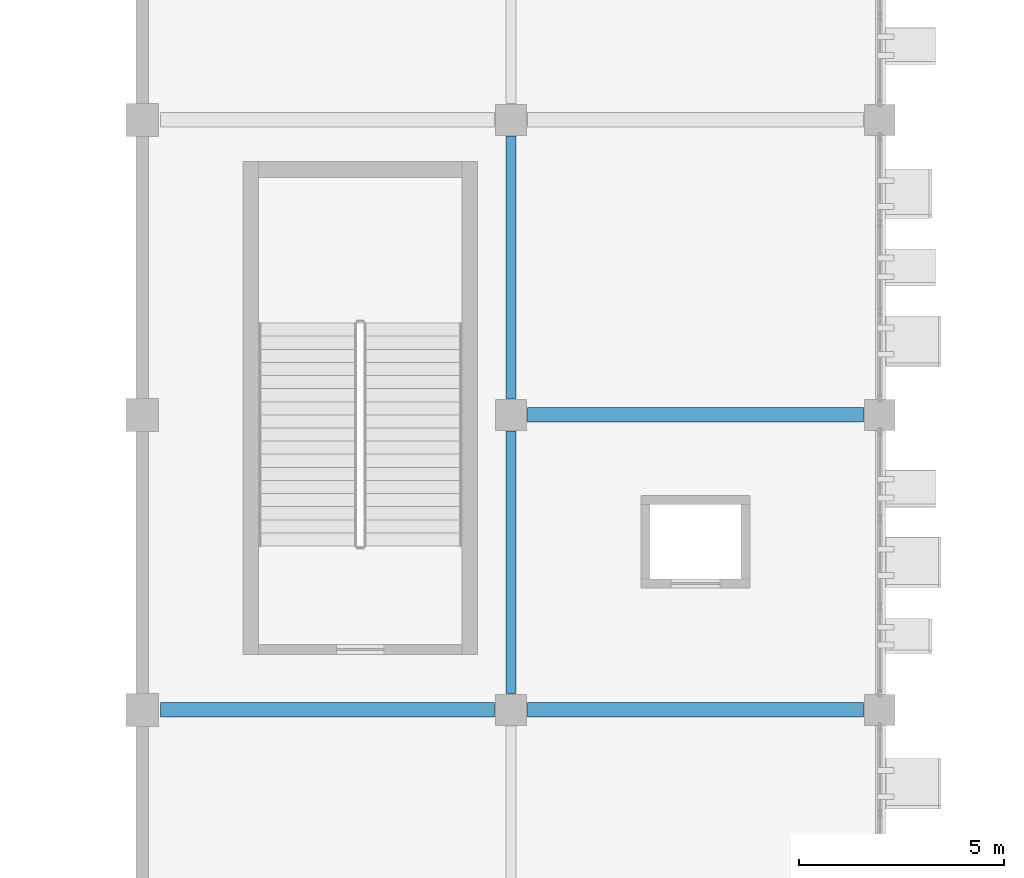
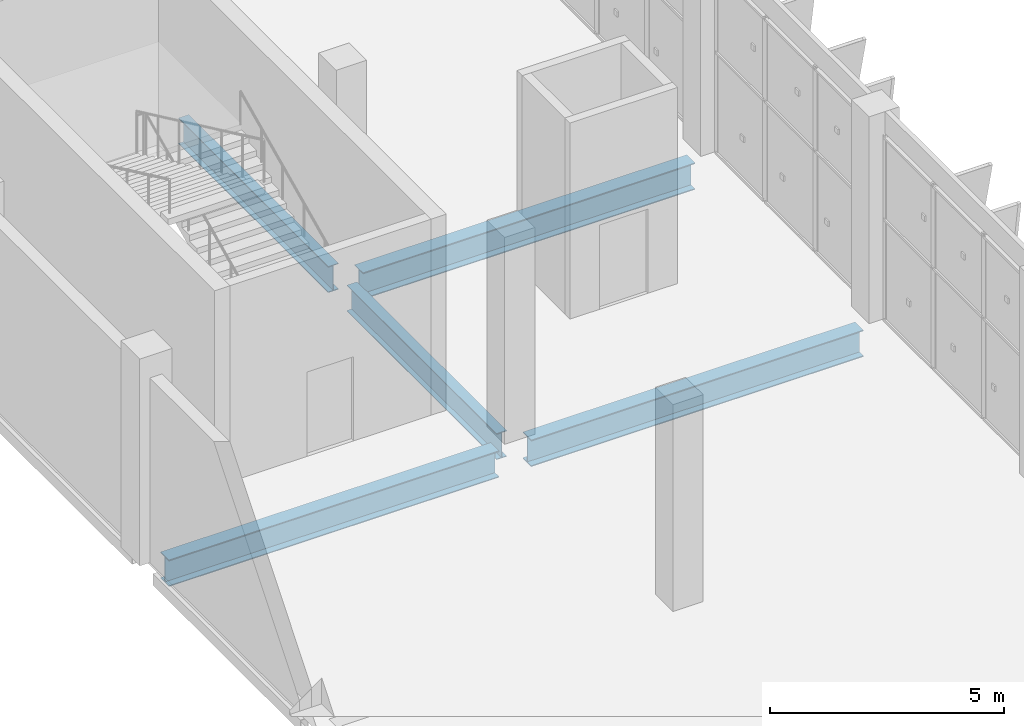
# One storey, part 56 of 189: 5 beams.
"""IFC4 building model written with IfcOpenShell, lengths in metres."""

from ifc_helpers import new_model, si_unit, direction, frame, origin, origin_2d, place, context, subcontext, project, spatial, i_section, extrude, material, material_profile, profile_set, type_object, element, save


model = new_model("IFC4")

# Units and contexts
model_context = context("Model", 3, precision=1e-05, world=origin(), true_north=direction((0.0, 1.0)))
body_context = subcontext(model_context, "Body", "Model", "MODEL_VIEW")
ifc_project = project(units=[si_unit("LENGTHUNIT", "METRE"), si_unit("AREAUNIT", "SQUARE_METRE"), si_unit("VOLUMEUNIT", "CUBIC_METRE"), si_unit("PLANEANGLEUNIT", "RADIAN"), si_unit("MASSUNIT", "GRAM", prefix="KILO")], contexts=[model_context])

# Site, building, storey
site_placement = place(None, origin())
site = spatial("IfcSite", under=ifc_project, at=site_placement, CompositionType="ELEMENT")
building_placement = place(site_placement, origin())
building = spatial("IfcBuilding", under=site, at=building_placement, Name="Celestram Park Convention Centre", CompositionType="ELEMENT")
storey_placement = place(building_placement, frame((0.0, 0.0, 5.39990234375)))
storey = spatial("IfcBuildingStorey", under=building, at=storey_placement, Name="L01", CompositionType="ELEMENT", Elevation=5.39990234375)

# Beams
ifc_material = material(Name="Steel ASTM A992 Grade 50", Category="steel")
ifc_material_profile_1 = material_profile(ifc_material, i_section(OverallWidth=0.35595703125, OverallDepth=0.696044921875, WebThickness=0.015380859375, FlangeThickness=0.02490234375, at=origin_2d()), Name="W27X146")
ifc_profile_set_1 = profile_set([ifc_material_profile_1], Name="Steel ASTM A992 Grade 50")
beam_type_1 = type_object("IfcBeamType", Name="STR-BM-W27X146", PredefinedType="BEAM", material=ifc_profile_set_1)
beam_1_placement = place(storey_placement, frame((126.447998046875, 50.39990234375, -0.6279296875), z_axis=(1.0, 0.0, 0.0), x_axis=(0.0, 1.0, 0.0)))
element("IfcBeam", 1, at=beam_1_placement, inside=storey, type_object=beam_type_1, Name="Primary X-girder BG-L01-0256", PredefinedType="BEAM", context=body_context, shape_type="SweptSolid", body=[
    extrude(i_section(OverallWidth=0.35595703125, OverallDepth=0.696044921875, WebThickness=0.015380859375, FlangeThickness=0.02490234375, at=origin_2d()), origin(), (0.0, 0.0, 1.0), 8.154052734375),
])
for number, where, z_axis, x_axis, name in (
    (2, (135.39794921875, 50.39990234375, -0.6279296875), (1.0, 0.0, 0.0), (0.0, 1.0, 0.0), "Primary X-girder BG-L01-0294"),
    (3, (135.39794921875, 57.60009765625, -0.6279296875), (1.0, 0.0, 0.0), (0.0, 1.0, 0.0), "Primary X-girder BG-L01-0296"),
):
    element("IfcBeam", number, at=place(storey_placement, frame(where, z_axis=z_axis, x_axis=x_axis)), inside=storey, type_object=beam_type_1, Name=name, PredefinedType="BEAM", context=body_context, shape_type="SweptSolid", body=[
        extrude(i_section(OverallWidth=0.35595703125, OverallDepth=0.696044921875, WebThickness=0.015380859375, FlangeThickness=0.02490234375, at=origin_2d()), origin(), (0.0, 0.0, 1.0), 8.2041015625),
    ])
ifc_material_profile_2 = material_profile(ifc_material, i_section(OverallWidth=0.25390625, OverallDepth=0.68310546875, WebThickness=0.012451171875, FlangeThickness=0.01904296875, at=origin_2d()), Name="W27X94")
ifc_profile_set_2 = profile_set([ifc_material_profile_2], Name="Steel ASTM A992 Grade 50")
beam_type_2 = type_object("IfcBeamType", Name="STR-BM-W27X94", PredefinedType="BEAM", material=ifc_profile_set_2)
beam_2_placement = place(storey_placement, frame((135.0, 50.798095703125, -0.621337890625), z_axis=(0.0, 1.0, 0.0), x_axis=(-1.0, 0.0, 0.0)))
element("IfcBeam", 4, at=beam_2_placement, inside=storey, type_object=beam_type_2, Name="Primary Y-girder BG-L01-0295", PredefinedType="BEAM", context=body_context, shape_type="SweptSolid", body=[
    extrude(i_section(OverallWidth=0.25390625, OverallDepth=0.68310546875, WebThickness=0.012451171875, FlangeThickness=0.01904296875, at=origin_2d()), origin(), (0.0, 0.0, 1.0), 6.40380859375),
])
beam_3_placement = place(storey_placement, frame((135.0, 57.998046875, -0.621337890625), z_axis=(0.0, 1.0, 0.0), x_axis=(-1.0, 0.0, 0.0)))
element("IfcBeam", 5, at=beam_3_placement, inside=storey, type_object=beam_type_2, Name="Primary Y-girder BG-L01-0297", PredefinedType="BEAM", context=body_context, shape_type="SweptSolid", body=[
    extrude(i_section(OverallWidth=0.25390625, OverallDepth=0.68310546875, WebThickness=0.012451171875, FlangeThickness=0.01904296875, at=origin_2d()), origin(), (0.0, 0.0, 1.0), 6.404052734375),
])

save(model, "model.ifc")
